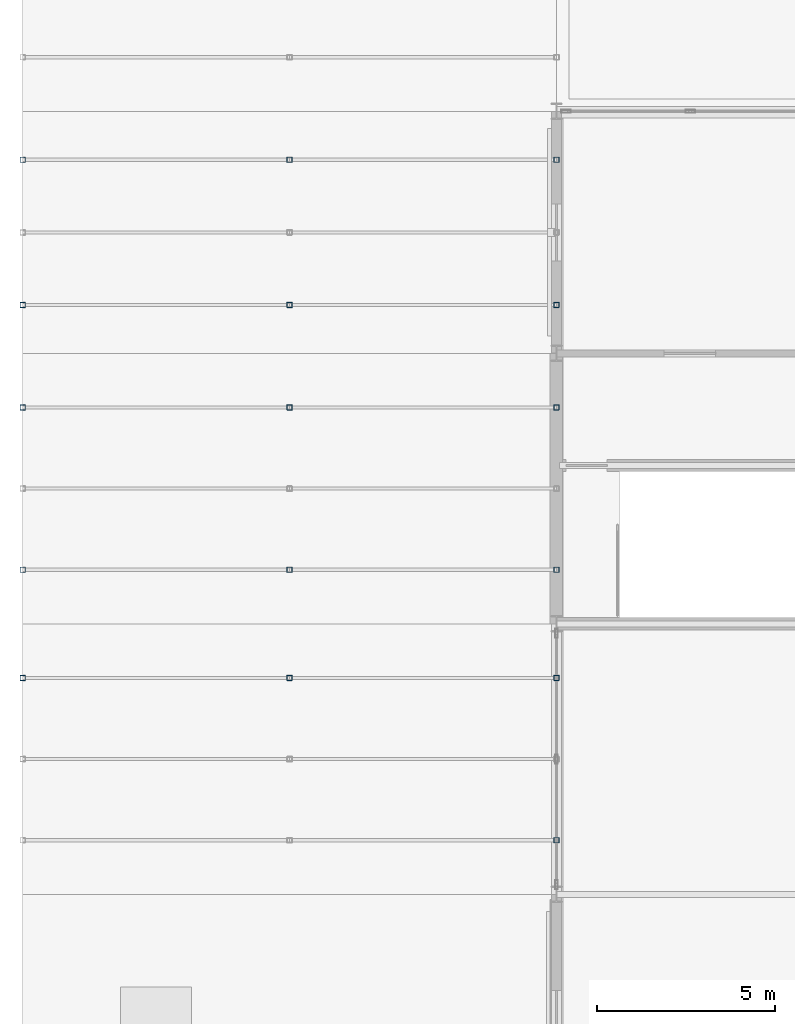
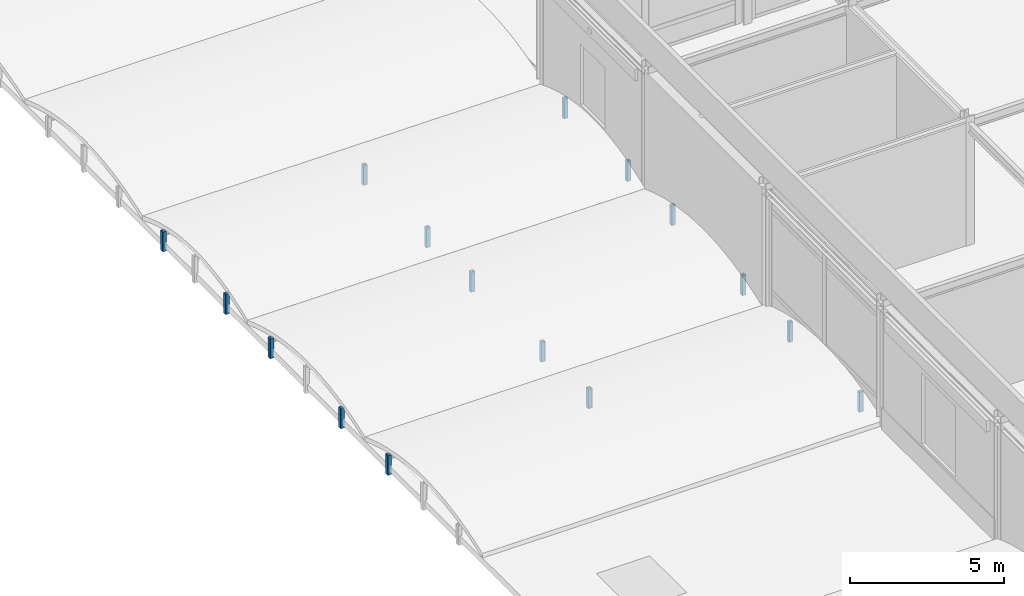
# One storey, part 79 of 113: 16 members.
"""IFC4 building model written with IfcOpenShell, lengths in metres."""

from ifc_helpers import new_model, si_unit, direction, frame, origin, origin_2d, place, context, subcontext, project, spatial, hollow_rectangle, extrude, material, material_profile, profile_set, type_object, element, save


model = new_model("IFC4")

# Units and contexts
model_context = context("Model", 3, precision=1e-05, world=origin(), true_north=direction((0.0, 1.0)))
body_context = subcontext(model_context, "Body", "Model", "MODEL_VIEW")
ifc_project = project(units=[si_unit("LENGTHUNIT", "METRE"), si_unit("AREAUNIT", "SQUARE_METRE"), si_unit("VOLUMEUNIT", "CUBIC_METRE"), si_unit("PLANEANGLEUNIT", "RADIAN"), si_unit("MASSUNIT", "GRAM", prefix="KILO")], contexts=[model_context])

# Site, building, storey
site_placement = place(None, origin())
site = spatial("IfcSite", under=ifc_project, at=site_placement, CompositionType="ELEMENT")
building_placement = place(site_placement, origin())
building = spatial("IfcBuilding", under=site, at=building_placement, Name="Shalkamar Park Central Library", CompositionType="ELEMENT")
storey_placement = place(building_placement, frame((0.0, 0.0, 5.39990234375)))
storey = spatial("IfcBuildingStorey", under=building, at=storey_placement, Name="L02", CompositionType="ELEMENT", Elevation=5.39990234375)

# Members
ifc_material = material(Name="Steel S355", Category="steel")
ifc_material_profile = material_profile(ifc_material, hollow_rectangle(XDim=0.14990234375, YDim=0.14990234375, WallThickness=0.008056640625, InnerFilletRadius=0.008056640625, OuterFilletRadius=0.011962890625, at=origin_2d()), Name="SHS 150x150x8")
ifc_profile_set = profile_set([ifc_material_profile], Name="Steel S355")
member_type = type_object("IfcMemberType", Name="Diagonal Brace SHS150", PredefinedType="BRACE", material=ifc_profile_set)
for number, where, z_axis, x_axis, name in (
    (1, (120.0, 322.080078125, -0.35986328125), (0.0, 0.0, 1.0), (1.0, 0.0, 0.0), "Vault Arch Post BV-L01-W8-01.3"),
    (2, (127.5, 322.080078125, -0.35986328125), (0.0, 0.0, 1.0), (1.0, 0.0, 0.0), "Vault Arch Post BV-L01-W8-02.3"),
    (3, (135.0, 317.52001953125, -0.35986328125), (0.0, 0.0, 1.0), (1.0, 0.0, 0.0), "Vault Arch Post BV-L01-W8-03.1"),
    (4, (135.0, 322.080078125, -0.35986328125), (0.0, 0.0, 1.0), (1.0, 0.0, 0.0), "Vault Arch Post BV-L01-W8-03.3"),
    (5, (120.0, 325.1201171875, -0.35986328125), (0.0, 0.0, 1.0), (1.0, 0.0, 0.0), "Vault Arch Post BV-L01-W9-01.1"),
    (6, (120.0, 329.679931640625, -0.35986328125), (0.0, 0.0, 1.0), (1.0, 0.0, 0.0), "Vault Arch Post BV-L01-W9-01.3"),
    (7, (127.5, 325.1201171875, -0.35986328125), (0.0, 0.0, 1.0), (1.0, 0.0, 0.0), "Vault Arch Post BV-L01-W9-02.1"),
    (8, (127.5, 329.679931640625, -0.35986328125), (0.0, 0.0, 1.0), (1.0, 0.0, 0.0), "Vault Arch Post BV-L01-W9-02.3"),
    (9, (135.0, 325.1201171875, -0.35986328125), (0.0, 0.0, 1.0), (1.0, 0.0, 0.0), "Vault Arch Post BV-L01-W9-03.1"),
    (10, (135.0, 329.679931640625, -0.35986328125), (0.0, 0.0, 1.0), (1.0, 0.0, 0.0), "Vault Arch Post BV-L01-W9-03.3"),
    (11, (120.0, 332.56005859375, -0.35986328125), (0.0, 0.0, 1.0), (1.0, 0.0, 0.0), "Vault Arch Post BV-L01-W10-01.1"),
    (12, (120.0, 336.639892578125, -0.35986328125), (0.0, 0.0, 1.0), (1.0, 0.0, 0.0), "Vault Arch Post BV-L01-W10-01.3"),
    (13, (127.5, 332.56005859375, -0.35986328125), (0.0, 0.0, 1.0), (1.0, 0.0, 0.0), "Vault Arch Post BV-L01-W10-02.1"),
    (14, (127.5, 336.639892578125, -0.35986328125), (0.0, 0.0, 1.0), (1.0, 0.0, 0.0), "Vault Arch Post BV-L01-W10-02.3"),
    (15, (135.0, 332.56005859375, -0.35986328125), (0.0, 0.0, 1.0), (1.0, 0.0, 0.0), "Vault Arch Post BV-L01-W10-03.1"),
    (16, (135.0, 336.639892578125, -0.35986328125), (0.0, 0.0, 1.0), (1.0, 0.0, 0.0), "Vault Arch Post BV-L01-W10-03.3"),
):
    element("IfcMember", number, at=place(storey_placement, frame(where, z_axis=z_axis, x_axis=x_axis)), inside=storey, type_object=member_type, Name=name, PredefinedType="BRACE", context=body_context, shape_type="SweptSolid", body=[
        extrude(hollow_rectangle(XDim=0.14990234375, YDim=0.14990234375, WallThickness=0.008056640625, InnerFilletRadius=0.008056640625, OuterFilletRadius=0.011962890625, at=origin_2d()), origin(), (0.0, 0.0, 1.0), 0.78076171875),
    ])

save(model, "model.ifc")
